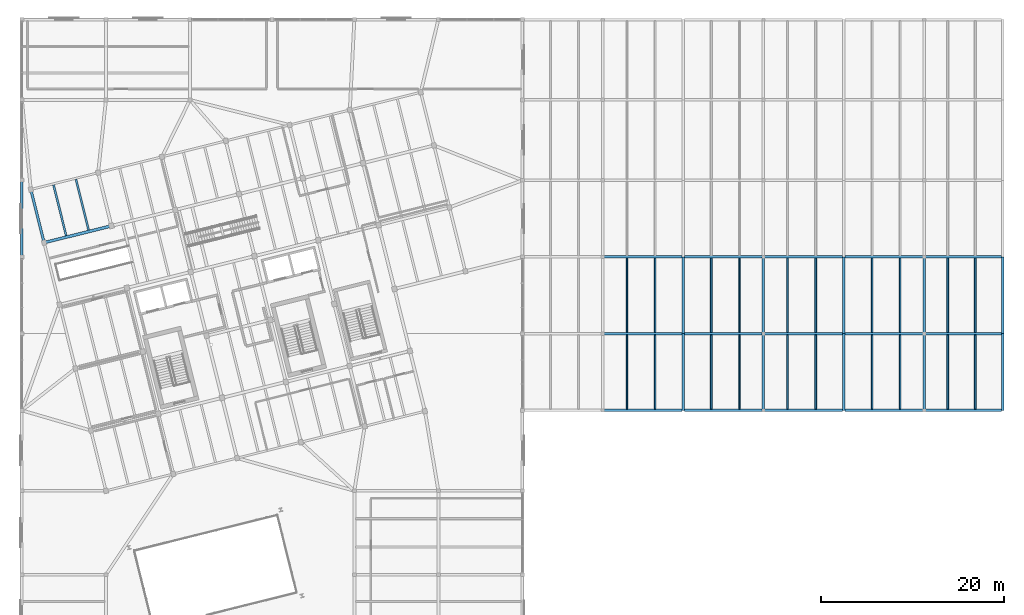
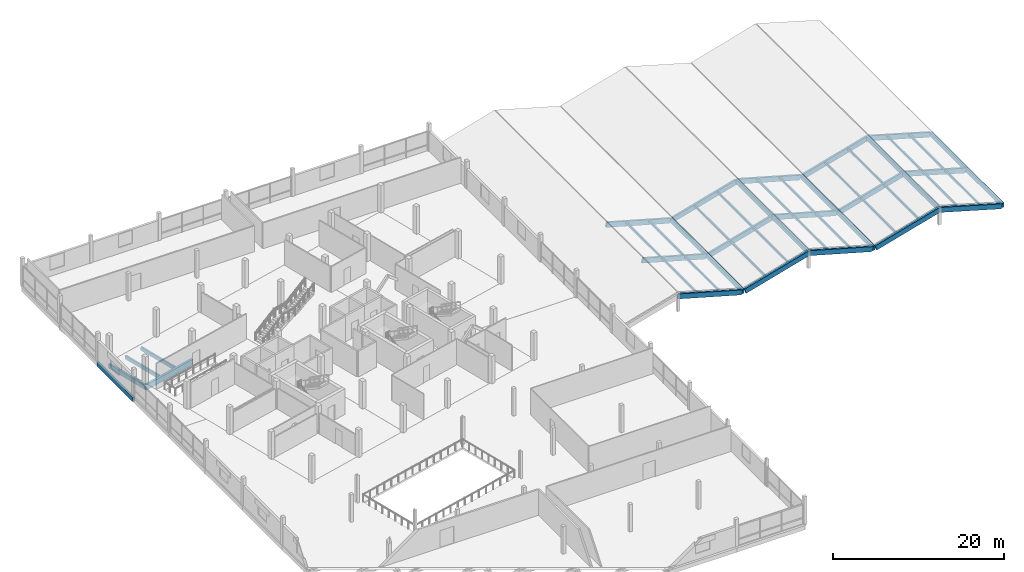
# One storey, part 27 of 47: 30 beams, 20 members.
"""IFC4 building model written with IfcOpenShell, lengths in metres."""

import ifcopenshell
import ifcopenshell.guid

model = None  # the IFC model being written
_history = None  # IfcOwnerHistory: only IFC2X3 demands one
_inside = {}  # id of a spatial element -> (the spatial element, [elements in it])
_under = {}  # id of a project, library or spatial element -> (it, [spatial elements below it])
_declared = {}  # id of a project -> (the project, [libraries it declares])
_typed = {}  # id of a type object -> (the type object, [elements of that type])
_made_of = {}  # id of a material, layer set ... -> (it, [elements and type objects made of it])


def new_model(schema):
    """Start an empty IFC model of exactly this schema.

    Asked for "IFC4X3", IfcOpenShell would pick the latest addendum, in which some entities
    have other attributes; the version numbers below select the first issue.
    IFC2X3 requires an IfcOwnerHistory on every rooted entity: one is made here for all.
    """
    global model, _history
    if schema == "IFC4X3":
        model = ifcopenshell.file(schema_version=(4, 3, 0, 0))
    else:
        model = ifcopenshell.file(schema=schema)
    _inside.clear()
    _under.clear()
    _declared.clear()
    _typed.clear()
    _made_of.clear()
    _history = None
    if model.schema == "IFC2X3":
        org = make("IfcOrganization", Name="unknown")
        user = make(
            "IfcPersonAndOrganization",
            ThePerson=make("IfcPerson", FamilyName="unknown"),
            TheOrganization=org,
        )
        app = make(
            "IfcApplication",
            ApplicationDeveloper=org,
            Version="unknown",
            ApplicationFullName="unknown",
            ApplicationIdentifier="unknown",
        )
        _history = make(
            "IfcOwnerHistory",
            OwningUser=user,
            OwningApplication=app,
            ChangeAction="ADDED",
            CreationDate=0,
        )
    return model


def make(cls, **values):
    """One entity of the class cls with the attributes given. An attribute that is None is left unset."""
    return model.create_entity(
        cls, **{name: value for name, value in values.items() if value is not None}
    )


def rooted(cls, **values):
    """An entity with a GlobalId (a new one), such as an element, a storey or a relation."""
    return make(cls, GlobalId=ifcopenshell.guid.new(), OwnerHistory=_history, **values)


def si_unit(unit_type, name, prefix=None):
    """IfcSIUnit, for example si_unit("LENGTHUNIT", "METRE", prefix="MILLI")."""
    return make("IfcSIUnit", UnitType=unit_type, Prefix=prefix, Name=name)


def assignment(units):
    """IfcUnitAssignment: the units of a project."""
    return None if units is None else make("IfcUnitAssignment", Units=units)


def point(xyz):
    """IfcCartesianPoint."""
    return None if xyz is None else make("IfcCartesianPoint", Coordinates=xyz)


def direction(xyz):
    """IfcDirection."""
    return None if xyz is None else make("IfcDirection", DirectionRatios=xyz)


def frame(location, z_axis=None, x_axis=None):
    """IfcAxis2Placement3D, a coordinate frame: its origin and axes. An axis left out is left unset."""
    return make(
        "IfcAxis2Placement3D",
        Location=point(location),
        Axis=direction(z_axis),
        RefDirection=direction(x_axis),
    )


def frame_2d(location, x_axis=None):
    """IfcAxis2Placement2D, a coordinate frame in the plane: its origin and x axis."""
    return make(
        "IfcAxis2Placement2D", Location=point(location), RefDirection=direction(x_axis)
    )


def origin():
    """The frame at (0, 0, 0) with its axes left unset."""
    return frame((0.0, 0.0, 0.0))


def origin_2d():
    """The frame at (0, 0) in the plane with its x axis left unset."""
    return frame_2d((0.0, 0.0))


def place(relative_to, where):
    """IfcLocalPlacement: puts the frame where relative to a parent placement (None: the world)."""
    return make(
        "IfcLocalPlacement", PlacementRelTo=relative_to, RelativePlacement=where
    )


def context(
    kind, dimensions, precision=None, world=None, true_north=None, identifier=None
):
    """IfcGeometricRepresentationContext, for example the 3D "Model" context."""
    return make(
        "IfcGeometricRepresentationContext",
        ContextIdentifier=identifier,
        ContextType=kind,
        CoordinateSpaceDimension=dimensions,
        Precision=precision,
        WorldCoordinateSystem=world,
        TrueNorth=true_north,
    )


def subcontext(parent, identifier, kind, view, scale=None):
    """IfcGeometricRepresentationSubContext, for example "Body" below "Model"."""
    return make(
        "IfcGeometricRepresentationSubContext",
        ContextIdentifier=identifier,
        ContextType=kind,
        ParentContext=parent,
        TargetScale=scale,
        TargetView=view,
    )


def project(units=None, contexts=None):
    """IfcProject with its units and contexts."""
    return rooted(
        "IfcProject",
        Name="project",
        RepresentationContexts=contexts,
        UnitsInContext=assignment(units),
    )


def spatial(cls, under=None, at=None, **own):
    """A site, building, storey or space (cls), placed at a placement, below another one or the project."""
    s = rooted(cls, ObjectPlacement=at, **own)
    if under is not None:
        _under.setdefault(under.id(), (under, []))[1].append(s)
    return s


def profile(cls, at=None, kind="AREA", **sizes):
    """A parametric profile (cls). Its sizes go by their IFC names, for example OverallWidth=200.0."""
    return make(cls, ProfileType=kind, Position=at, **sizes)


def rectangle(**sizes):
    """IfcRectangleProfileDef."""
    return profile("IfcRectangleProfileDef", **sizes)


def extrude(swept, where, along, depth):
    """IfcExtrudedAreaSolid: the profile swept, set in the frame where, extruded along a direction by depth."""
    return make(
        "IfcExtrudedAreaSolid",
        SweptArea=swept,
        Position=where,
        ExtrudedDirection=direction(along),
        Depth=depth,
    )


def shape(context_of_items, identifier, shape_type, items):
    """IfcShapeRepresentation: the items that make up one representation, for example the "Body"."""
    return make(
        "IfcShapeRepresentation",
        ContextOfItems=context_of_items,
        RepresentationIdentifier=identifier,
        RepresentationType=shape_type,
        Items=items,
    )


def material(Name=None, Category=None):
    """IfcMaterial."""
    return make("IfcMaterial", Name=Name, Category=Category)


def material_profile(
    of_material, cross_section, Name=None, Category=None, Priority=None
):
    """IfcMaterialProfile: a cross section and its material."""
    return make(
        "IfcMaterialProfile",
        Name=Name,
        Material=of_material,
        Profile=cross_section,
        Priority=Priority,
        Category=Category,
    )


def profile_set(profiles, Name=None, composite=None):
    """IfcMaterialProfileSet."""
    return make(
        "IfcMaterialProfileSet",
        Name=Name,
        MaterialProfiles=profiles,
        CompositeProfile=composite,
    )


def made_of(thing, what):
    """Note that an element or type object is made of a material, layer set ...; save() writes the relation."""
    if what is not None:
        _made_of.setdefault(what.id(), (what, []))[1].append(thing)
    return thing


def type_object(cls, material=None, **own):
    """A type object (cls), such as IfcWallType, which elements share."""
    return made_of(rooted(cls, **own), material)


def element(
    cls,
    number,
    at=None,
    inside=None,
    cuts=None,
    type_object=None,
    material=None,
    context=None,
    identifier="Body",
    shape_type=None,
    held_by="IfcProductDefinitionShape",
    body=None,
    shapes=None,
    **own,
):
    """One element of the class cls, such as IfcWall. Its Tag is "e" and its number.

    at: its placement. inside: the storey or other place that contains it. cuts: it is an
    opening in that element (IfcRelVoidsElement). A single representation is given by context,
    identifier, shape_type and body (its items); several are given by shapes. held_by: the class
    of the entity that holds the representations. save() writes the other relations.
    """
    e = rooted(cls, Tag="e%d" % number, ObjectPlacement=at, **own)
    if body is not None:
        shapes = [shape(context, identifier, shape_type, body)]
    if shapes is not None:
        e.Representation = make(held_by, Representations=shapes)
    if inside is not None:
        _inside.setdefault(inside.id(), (inside, []))[1].append(e)
    if cuts is not None:
        rooted(
            "IfcRelVoidsElement", RelatingBuildingElement=cuts, RelatedOpeningElement=e
        )
    if type_object is not None:
        _typed.setdefault(type_object.id(), (type_object, []))[1].append(e)
    return made_of(e, material)


def aggregate(whole, parts):
    """IfcRelAggregates: a whole, such as a stair, and the parts it consists of."""
    return rooted("IfcRelAggregates", RelatingObject=whole, RelatedObjects=parts)


def save(model, path):
    """Write the relations noted so far, then the file.

    IfcRelAggregates (storeys below a building ...), IfcRelContainedInSpatialStructure (elements
    in a storey), IfcRelDefinesByType, IfcRelAssociatesMaterial and IfcRelDeclares: one each for
    every whole, place, type object, material and project.
    """
    for whole, parts in _under.values():
        aggregate(whole, parts)
    for where, things in _inside.values():
        rooted(
            "IfcRelContainedInSpatialStructure",
            RelatedElements=things,
            RelatingStructure=where,
        )
    for kind, things in _typed.values():
        rooted("IfcRelDefinesByType", RelatedObjects=things, RelatingType=kind)
    for what, things in _made_of.values():
        rooted("IfcRelAssociatesMaterial", RelatedObjects=things, RelatingMaterial=what)
    for by, libraries in _declared.values():
        rooted("IfcRelDeclares", RelatingContext=by, RelatedDefinitions=libraries)
    model.write(path)


model = new_model("IFC4")

# Units and contexts
model_context = context("Model", 3, precision=1e-05, world=origin(), true_north=direction((0.0, 1.0)))
body_context = subcontext(model_context, "Body", "Model", "MODEL_VIEW")
ifc_project = project(units=[si_unit("LENGTHUNIT", "METRE"), si_unit("AREAUNIT", "SQUARE_METRE"), si_unit("VOLUMEUNIT", "CUBIC_METRE"), si_unit("PLANEANGLEUNIT", "RADIAN"), si_unit("MASSUNIT", "GRAM", prefix="KILO")], contexts=[model_context])

# Site, building, storey
site_placement = place(None, origin())
site = spatial("IfcSite", under=ifc_project, at=site_placement, CompositionType="ELEMENT")
building_placement = place(site_placement, origin())
building = spatial("IfcBuilding", under=site, at=building_placement, Name="Meriwether Solvik Hall", CompositionType="ELEMENT")
storey_placement = place(building_placement, frame((0.0, 0.0, 18.300048828125)))
storey = spatial("IfcBuildingStorey", under=building, at=storey_placement, Name="L04", CompositionType="ELEMENT", Elevation=18.300048828125)

# Beams
ifc_material_1 = material(Name="Glulam Douglas-Fir 24F-V8 GL28h", Category="wood")
ifc_material_profile_1 = material_profile(ifc_material_1, rectangle(XDim=0.27294921875, YDim=0.610107421875, at=origin_2d()), Name="GLB-273X610")
ifc_profile_set_1 = profile_set([ifc_material_profile_1], Name="Glulam Douglas-Fir 24F-V8 GL28h")
beam_type_1 = type_object("IfcBeamType", Name="BM-GL-273X610", PredefinedType="SPANDREL", material=ifc_profile_set_1)
for number, where, z_axis, x_axis, name in (
    (1, (59.39990234375, 66.800048828125, -0.550048828125), (0.0, 1.0, 0.0), (-1.0, 0.0, 0.0), "Podium Girder 7:H-I (L04)"),
    (2, (131.800048828125, 50.0, -0.32421875), (0.0, 1.0, 0.0), (-1.0, 0.0, 0.0), "Roof Tie Beam 15:F-G (L04)"),
):
    element("IfcBeam", number, at=place(storey_placement, frame(where, z_axis=z_axis, x_axis=x_axis)), inside=storey, type_object=beam_type_1, Name=name, PredefinedType="SPANDREL", context=body_context, shape_type="SweptSolid", body=[
        extrude(rectangle(XDim=0.27294921875, YDim=0.610107421875, at=origin_2d()), origin(), (0.0, 0.0, 1.0), 8.39990234375),
    ])
beam_1_placement = place(storey_placement, frame((131.800048828125, 58.39990234375, -0.32421875), z_axis=(0.0, 1.0, 0.0), x_axis=(-1.0, 0.0, 0.0)))
element("IfcBeam", 3, at=beam_1_placement, inside=storey, type_object=beam_type_1, Name="Roof Tie Beam 15:G-H (L04)", PredefinedType="SPANDREL", context=body_context, shape_type="SweptSolid", body=[
    extrude(rectangle(XDim=0.27294921875, YDim=0.610107421875, at=origin_2d()), origin(), (0.0, 0.0, 1.0), 8.400146484375),
])
beam_2_placement = place(storey_placement, frame((140.60009765625, 50.0, 2.15576171875), z_axis=(0.0, 1.0, 0.0), x_axis=(-1.0, 0.0, 0.0)))
element("IfcBeam", 4, at=beam_2_placement, inside=storey, type_object=beam_type_1, Name="Roof Tie Beam 16:F-G (L04)", PredefinedType="SPANDREL", context=body_context, shape_type="SweptSolid", body=[
    extrude(rectangle(XDim=0.27294921875, YDim=0.610107421875, at=origin_2d()), origin(), (0.0, 0.0, 1.0), 8.39990234375),
])
beam_3_placement = place(storey_placement, frame((140.60009765625, 58.39990234375, 2.15576171875), z_axis=(0.0, 1.0, 0.0), x_axis=(-1.0, 0.0, 0.0)))
element("IfcBeam", 5, at=beam_3_placement, inside=storey, type_object=beam_type_1, Name="Roof Tie Beam 16:G-H (L04)", PredefinedType="SPANDREL", context=body_context, shape_type="SweptSolid", body=[
    extrude(rectangle(XDim=0.27294921875, YDim=0.610107421875, at=origin_2d()), origin(), (0.0, 0.0, 1.0), 8.400146484375),
])
beam_4_placement = place(storey_placement, frame((149.39990234375, 50.0, -0.32421875), z_axis=(0.0, 1.0, 0.0), x_axis=(-1.0, 0.0, 0.0)))
element("IfcBeam", 6, at=beam_4_placement, inside=storey, type_object=beam_type_1, Name="Roof Tie Beam 17:F-G (L04)", PredefinedType="SPANDREL", context=body_context, shape_type="SweptSolid", body=[
    extrude(rectangle(XDim=0.27294921875, YDim=0.610107421875, at=origin_2d()), origin(), (0.0, 0.0, 1.0), 8.39990234375),
])
beam_5_placement = place(storey_placement, frame((149.39990234375, 58.39990234375, -0.32421875), z_axis=(0.0, 1.0, 0.0), x_axis=(-1.0, 0.0, 0.0)))
element("IfcBeam", 7, at=beam_5_placement, inside=storey, type_object=beam_type_1, Name="Roof Tie Beam 17:G-H (L04)", PredefinedType="SPANDREL", context=body_context, shape_type="SweptSolid", body=[
    extrude(rectangle(XDim=0.27294921875, YDim=0.610107421875, at=origin_2d()), origin(), (0.0, 0.0, 1.0), 8.400146484375),
])
beam_6_placement = place(storey_placement, frame((158.199951171875, 50.0, 2.15576171875), z_axis=(0.0, 1.0, 0.0), x_axis=(-1.0, 0.0, 0.0)))
element("IfcBeam", 8, at=beam_6_placement, inside=storey, type_object=beam_type_1, Name="Roof Tie Beam 18:F-G (L04)", PredefinedType="SPANDREL", context=body_context, shape_type="SweptSolid", body=[
    extrude(rectangle(XDim=0.27294921875, YDim=0.610107421875, at=origin_2d()), origin(), (0.0, 0.0, 1.0), 8.39990234375),
])
beam_7_placement = place(storey_placement, frame((158.199951171875, 58.39990234375, 2.15576171875), z_axis=(0.0, 1.0, 0.0), x_axis=(-1.0, 0.0, 0.0)))
element("IfcBeam", 9, at=beam_7_placement, inside=storey, type_object=beam_type_1, Name="Roof Tie Beam 18:G-H (L04)", PredefinedType="SPANDREL", context=body_context, shape_type="SweptSolid", body=[
    extrude(rectangle(XDim=0.27294921875, YDim=0.610107421875, at=origin_2d()), origin(), (0.0, 0.0, 1.0), 8.400146484375),
])
beam_8_placement = place(storey_placement, frame((166.800048828125, 50.0, -0.324462890625), z_axis=(0.0, 1.0, 0.0), x_axis=(-1.0, 0.0, 0.0)))
element("IfcBeam", 10, at=beam_8_placement, inside=storey, type_object=beam_type_1, Name="Roof Tie Beam 19:F-G (L04)", PredefinedType="SPANDREL", context=body_context, shape_type="SweptSolid", body=[
    extrude(rectangle(XDim=0.27294921875, YDim=0.610107421875, at=origin_2d()), origin(), (0.0, 0.0, 1.0), 8.39990234375),
])
beam_9_placement = place(storey_placement, frame((166.800048828125, 58.39990234375, -0.324462890625), z_axis=(0.0, 1.0, 0.0), x_axis=(-1.0, 0.0, 0.0)))
element("IfcBeam", 11, at=beam_9_placement, inside=storey, type_object=beam_type_1, Name="Roof Tie Beam 19:G-H (L04)", PredefinedType="SPANDREL", context=body_context, shape_type="SweptSolid", body=[
    extrude(rectangle(XDim=0.27294921875, YDim=0.610107421875, at=origin_2d()), origin(), (0.0, 0.0, 1.0), 8.400146484375),
])
beam_10_placement = place(storey_placement, frame((61.826171875, 68.3681640625, -0.550048828125), z_axis=(-0.241903677572, 0.970300268359, 0.0), x_axis=(-0.970300268359, -0.241903677572, 0.0)))
element("IfcBeam", 12, at=beam_10_placement, inside=storey, type_object=beam_type_1, Name="Tower Girder T1:TE-TF (L04)", PredefinedType="SPANDREL", context=body_context, shape_type="SweptSolid", body=[
    extrude(rectangle(XDim=0.27294921875, YDim=0.610107421875, at=origin_2d()), origin(), (0.0, 0.0, 1.0), 6.0),
])
ifc_material_2 = material(Name="Glulam Douglas-Fir 24F-V8 GL28h", Category="wood")
ifc_material_profile_2 = material_profile(ifc_material_2, rectangle(XDim=0.27294921875, YDim=0.68505859375, at=origin_2d()), Name="GLB-273X685")
ifc_profile_set_2 = profile_set([ifc_material_profile_2], Name="Glulam Douglas-Fir 24F-V8 GL28h")
beam_type_2 = type_object("IfcBeamType", Name="BM-GL-273X685", PredefinedType="BEAM", material=ifc_profile_set_2)
for number, where, z_axis, x_axis, name in (
    (13, (131.5791015625, 50.0, -0.31298828125), (-0.962504746474, 0.0, 0.271264839252), (0.0, -1.0, 0.0), "Raking Glulam Roof Rafter w3_fold_1e-F (L04)"),
    (14, (131.5791015625, 58.39990234375, -0.31298828125), (-0.962504746474, 0.0, 0.271264839252), (0.0, -1.0, 0.0), "Raking Glulam Roof Rafter w3_fold_1e-G (L04)"),
    (15, (131.5791015625, 66.800048828125, -0.31298828125), (-0.962504746474, 0.0, 0.271264839252), (0.0, -1.0, 0.0), "Raking Glulam Roof Rafter w3_fold_1e-H (L04)"),
    (16, (132.02099609375, 50.0, -0.31298828125), (0.962504746474, 0.0, 0.271264839252), (0.0, 1.0, 0.0), "Raking Glulam Roof Rafter w3_fold_2w-F (L04)"),
    (17, (132.02099609375, 58.39990234375, -0.31298828125), (0.962504746474, 0.0, 0.271264839252), (0.0, 1.0, 0.0), "Raking Glulam Roof Rafter w3_fold_2w-G (L04)"),
    (18, (132.02099609375, 66.800048828125, -0.31298828125), (0.962504746474, 0.0, 0.271264839252), (0.0, 1.0, 0.0), "Raking Glulam Roof Rafter w3_fold_2w-H (L04)"),
):
    element("IfcBeam", number, at=place(storey_placement, frame(where, z_axis=z_axis, x_axis=x_axis)), inside=storey, type_object=beam_type_2, Name=name, PredefinedType="BEAM", context=body_context, shape_type="SweptSolid", body=[
        extrude(rectangle(XDim=0.27294921875, YDim=0.68505859375, at=origin_2d()), origin(), (0.0, 0.0, 1.0), 8.876708984375),
    ])
for number, where, z_axis, x_axis, name in (
    (19, (149.17919921875, 50.0, -0.31298828125), (-0.962506770212, 0.0, 0.271257658502), (0.0, -1.0, 0.0), "Raking Glulam Roof Rafter w3_fold_2e-F (L04)"),
    (20, (149.17919921875, 58.39990234375, -0.31298828125), (-0.962506770212, 0.0, 0.271257658502), (0.0, -1.0, 0.0), "Raking Glulam Roof Rafter w3_fold_2e-G (L04)"),
    (21, (149.17919921875, 66.800048828125, -0.31298828125), (-0.962506770212, 0.0, 0.271257658502), (0.0, -1.0, 0.0), "Raking Glulam Roof Rafter w3_fold_2e-H (L04)"),
):
    element("IfcBeam", number, at=place(storey_placement, frame(where, z_axis=z_axis, x_axis=x_axis)), inside=storey, type_object=beam_type_2, Name=name, PredefinedType="BEAM", context=body_context, shape_type="SweptSolid", body=[
        extrude(rectangle(XDim=0.27294921875, YDim=0.68505859375, at=origin_2d()), origin(), (0.0, 0.0, 1.0), 8.876953125),
    ])
for number, where, z_axis, x_axis, name in (
    (22, (149.620849609375, 50.0, -0.31298828125), (0.962504746474, 0.0, 0.271264839252), (0.0, 1.0, 0.0), "Raking Glulam Roof Rafter w3_fold_3w-F (L04)"),
    (23, (149.620849609375, 58.39990234375, -0.31298828125), (0.962504746474, 0.0, 0.271264839252), (0.0, 1.0, 0.0), "Raking Glulam Roof Rafter w3_fold_3w-G (L04)"),
    (24, (149.620849609375, 66.800048828125, -0.31298828125), (0.962504746474, 0.0, 0.271264839252), (0.0, 1.0, 0.0), "Raking Glulam Roof Rafter w3_fold_3w-H (L04)"),
):
    element("IfcBeam", number, at=place(storey_placement, frame(where, z_axis=z_axis, x_axis=x_axis)), inside=storey, type_object=beam_type_2, Name=name, PredefinedType="BEAM", context=body_context, shape_type="SweptSolid", body=[
        extrude(rectangle(XDim=0.27294921875, YDim=0.68505859375, at=origin_2d()), origin(), (0.0, 0.0, 1.0), 8.876708984375),
    ])
for number, where, z_axis, x_axis, name in (
    (25, (166.5771484375, 50.0, -0.311767578125), (-0.960844177136, 0.0, 0.277089276702), (0.0, -1.0, 0.0), "Raking Glulam Roof Rafter w3_fold_3e-F (L04)"),
    (26, (166.5771484375, 58.39990234375, -0.311767578125), (-0.960844177136, 0.0, 0.277089276702), (0.0, -1.0, 0.0), "Raking Glulam Roof Rafter w3_fold_3e-G (L04)"),
    (27, (166.5771484375, 66.800048828125, -0.311767578125), (-0.960844177136, 0.0, 0.277089276702), (0.0, -1.0, 0.0), "Raking Glulam Roof Rafter w3_fold_3e-H (L04)"),
):
    element("IfcBeam", number, at=place(storey_placement, frame(where, z_axis=z_axis, x_axis=x_axis)), inside=storey, type_object=beam_type_2, Name=name, PredefinedType="BEAM", context=body_context, shape_type="SweptSolid", body=[
        extrude(rectangle(XDim=0.27294921875, YDim=0.68505859375, at=origin_2d()), origin(), (0.0, 0.0, 1.0), 8.68408203125),
    ])
ifc_material_3 = material(Name="Glulam Douglas-Fir 24F-V8 GL28h", Category="wood")
ifc_material_profile_3 = material_profile(ifc_material_3, rectangle(XDim=0.31494140625, YDim=0.760009765625, at=origin_2d()), Name="GLB-315X760")
ifc_profile_set_3 = profile_set([ifc_material_profile_3], Name="Glulam Douglas-Fir 24F-V8 GL28h")
beam_type_3 = type_object("IfcBeamType", Name="BM-GL-315X760", PredefinedType="BEAM", material=ifc_profile_set_3)
beam_11_placement = place(storey_placement, frame((61.826171875, 68.3681640625, -0.625), z_axis=(0.970295366785, 0.241923337436, 0.0), x_axis=(-0.241923337436, 0.970295366785, 0.0)))
element("IfcBeam", 28, at=beam_11_placement, inside=storey, type_object=beam_type_3, Name="Tower Girder TE:T1-T2 (L04)", PredefinedType="BEAM", context=body_context, shape_type="SweptSolid", body=[
    extrude(rectangle(XDim=0.31494140625, YDim=0.760009765625, at=origin_2d()), origin(), (0.0, 0.0, 1.0), 7.60009765625),
])
ifc_material_4 = material(Name="Glulam Douglas-Fir 24F-V8 GL28h", Category="wood")
ifc_material_profile_4 = material_profile(ifc_material_4, rectangle(XDim=0.221923828125, YDim=0.4951171875, at=origin_2d()), Name="GLJ-222X495")
ifc_profile_set_4 = profile_set([ifc_material_profile_4], Name="Glulam Douglas-Fir 24F-V8 GL28h")
beam_type_4 = type_object("IfcBeamType", Name="JST-GL-222X495", PredefinedType="JOIST", material=ifc_profile_set_4)
beam_12_placement = place(storey_placement, frame((64.247314453125, 69.129150390625, -0.492431640625), z_axis=(-0.241915235082, 0.970297386905, 0.0), x_axis=(-0.970297386905, -0.241915235082, 0.0)))
element("IfcBeam", 29, at=beam_12_placement, inside=storey, type_object=beam_type_4, Name="Glulam Floor Joist T1/TE-J1 (L04)", PredefinedType="JOIST", context=body_context, shape_type="SweptSolid", body=[
    extrude(rectangle(XDim=0.221923828125, YDim=0.4951171875, at=origin_2d()), origin(), (0.0, 0.0, 1.0), 5.741455078125),
])
beam_13_placement = place(storey_placement, frame((66.70556640625, 69.741943359375, -0.492431640625), z_axis=(-0.241945286667, 0.970289893928, 0.0), x_axis=(-0.970289893928, -0.241945286667, 0.0)))
element("IfcBeam", 30, at=beam_13_placement, inside=storey, type_object=beam_type_4, Name="Glulam Floor Joist T1/TE-J2 (L04)", PredefinedType="JOIST", context=body_context, shape_type="SweptSolid", body=[
    extrude(rectangle(XDim=0.221923828125, YDim=0.4951171875, at=origin_2d()), origin(), (0.0, 0.0, 1.0), 5.74169921875),
])

# Members
ifc_material_5 = material(Name="Glulam Douglas-Fir 24F-V8 GL28h", Category="wood")
ifc_material_profile_5 = material_profile(ifc_material_5, rectangle(XDim=0.175048828125, YDim=0.304931640625, at=origin_2d()), Name="GLM-175X305")
ifc_profile_set_5 = profile_set([ifc_material_profile_5], Name="Glulam Douglas-Fir 24F-V8 GL28h")
member_type = type_object("IfcMemberType", Name="MEM-PRL-GL175", PredefinedType="PURLIN", material=ifc_profile_set_5)
for number, where, z_axis, x_axis, name in (
    (31, (128.719970703125, 50.132568359375, 0.6962890625), (0.0, 1.0, 0.0), (-1.0, 0.0, 0.0), "Sloped Roof Glulam Purlin w3_fold_1e-1.1"),
    (32, (125.639892578125, 50.132568359375, 1.564208984375), (0.0, 1.0, 0.0), (-1.0, 0.0, 0.0), "Sloped Roof Glulam Purlin w3_fold_1e-1.2"),
    (33, (128.719970703125, 58.532470703125, 0.6962890625), (0.0, 1.0, 0.0), (-1.0, 0.0, 0.0), "Sloped Roof Glulam Purlin w3_fold_1e-2.1"),
    (34, (125.639892578125, 58.532470703125, 1.564208984375), (0.0, 1.0, 0.0), (-1.0, 0.0, 0.0), "Sloped Roof Glulam Purlin w3_fold_1e-2.2"),
    (35, (134.8798828125, 50.132568359375, 0.6962890625), (0.0, 1.0, 0.0), (-1.0, 0.0, 0.0), "Sloped Roof Glulam Purlin w3_fold_2w-1.1"),
    (36, (137.9599609375, 50.132568359375, 1.564208984375), (0.0, 1.0, 0.0), (-1.0, 0.0, 0.0), "Sloped Roof Glulam Purlin w3_fold_2w-1.2"),
    (37, (134.8798828125, 58.532470703125, 0.6962890625), (0.0, 1.0, 0.0), (-1.0, 0.0, 0.0), "Sloped Roof Glulam Purlin w3_fold_2w-2.1"),
    (38, (137.9599609375, 58.532470703125, 1.564208984375), (0.0, 1.0, 0.0), (-1.0, 0.0, 0.0), "Sloped Roof Glulam Purlin w3_fold_2w-2.2"),
    (39, (146.320068359375, 50.132568359375, 0.6962890625), (0.0, 1.0, 0.0), (-1.0, 0.0, 0.0), "Sloped Roof Glulam Purlin w3_fold_2e-1.1"),
    (40, (143.239990234375, 50.132568359375, 1.564208984375), (0.0, 1.0, 0.0), (-1.0, 0.0, 0.0), "Sloped Roof Glulam Purlin w3_fold_2e-1.2"),
    (41, (146.320068359375, 58.532470703125, 0.6962890625), (0.0, 1.0, 0.0), (-1.0, 0.0, 0.0), "Sloped Roof Glulam Purlin w3_fold_2e-2.1"),
    (42, (143.239990234375, 58.532470703125, 1.564208984375), (0.0, 1.0, 0.0), (-1.0, 0.0, 0.0), "Sloped Roof Glulam Purlin w3_fold_2e-2.2"),
    (43, (152.47998046875, 50.132568359375, 0.6962890625), (0.0, 1.0, 0.0), (-1.0, 0.0, 0.0), "Sloped Roof Glulam Purlin w3_fold_3w-1.1"),
    (44, (155.56005859375, 50.132568359375, 1.564208984375), (0.0, 1.0, 0.0), (-1.0, 0.0, 0.0), "Sloped Roof Glulam Purlin w3_fold_3w-1.2"),
    (45, (152.47998046875, 58.532470703125, 0.6962890625), (0.0, 1.0, 0.0), (-1.0, 0.0, 0.0), "Sloped Roof Glulam Purlin w3_fold_3w-2.1"),
    (46, (155.56005859375, 58.532470703125, 1.564208984375), (0.0, 1.0, 0.0), (-1.0, 0.0, 0.0), "Sloped Roof Glulam Purlin w3_fold_3w-2.2"),
    (47, (163.7900390625, 50.132568359375, 0.696044921875), (0.0, 1.0, 0.0), (-1.0, 0.0, 0.0), "Sloped Roof Glulam Purlin w3_fold_3e-1.1"),
    (48, (160.780029296875, 50.132568359375, 1.56396484375), (0.0, 1.0, 0.0), (-1.0, 0.0, 0.0), "Sloped Roof Glulam Purlin w3_fold_3e-1.2"),
    (49, (163.7900390625, 58.532470703125, 0.696044921875), (0.0, 1.0, 0.0), (-1.0, 0.0, 0.0), "Sloped Roof Glulam Purlin w3_fold_3e-2.1"),
    (50, (160.780029296875, 58.532470703125, 1.56396484375), (0.0, 1.0, 0.0), (-1.0, 0.0, 0.0), "Sloped Roof Glulam Purlin w3_fold_3e-2.2"),
):
    element("IfcMember", number, at=place(storey_placement, frame(where, z_axis=z_axis, x_axis=x_axis)), inside=storey, type_object=member_type, Name=name, PredefinedType="PURLIN", context=body_context, shape_type="SweptSolid", body=[
        extrude(rectangle(XDim=0.175048828125, YDim=0.304931640625, at=origin_2d()), origin(), (0.0, 0.0, 1.0), 8.135009765625),
    ])

save(model, "model.ifc")
